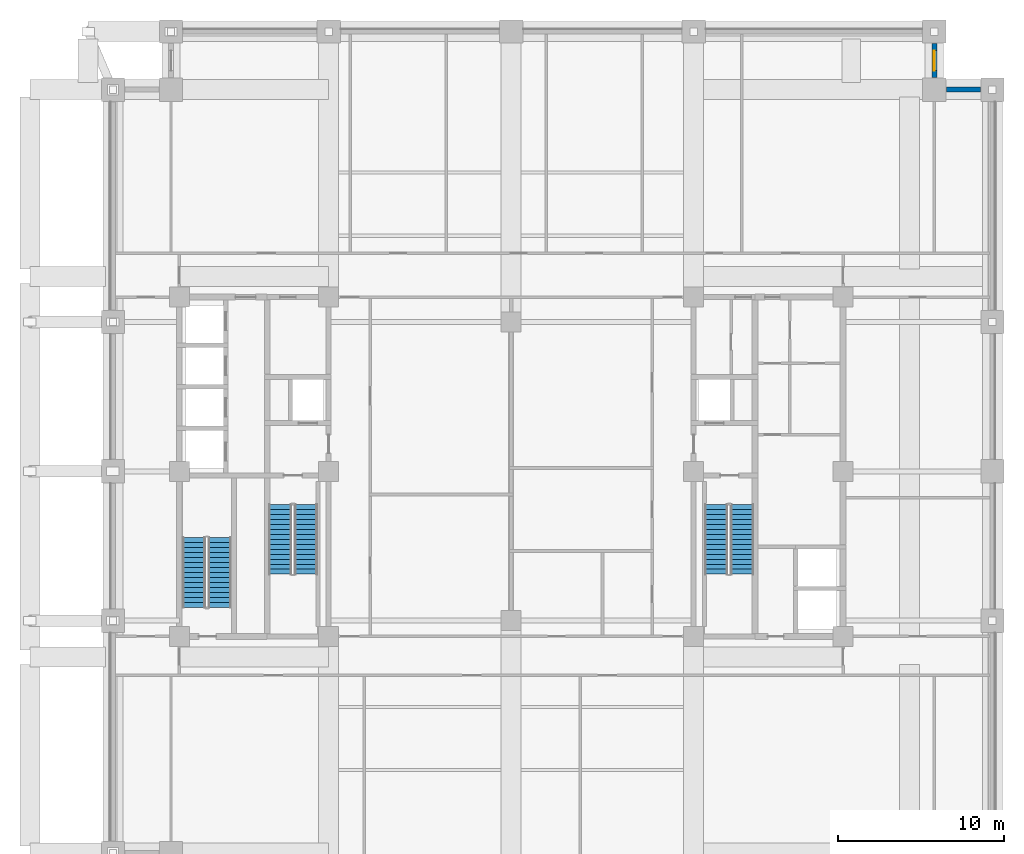
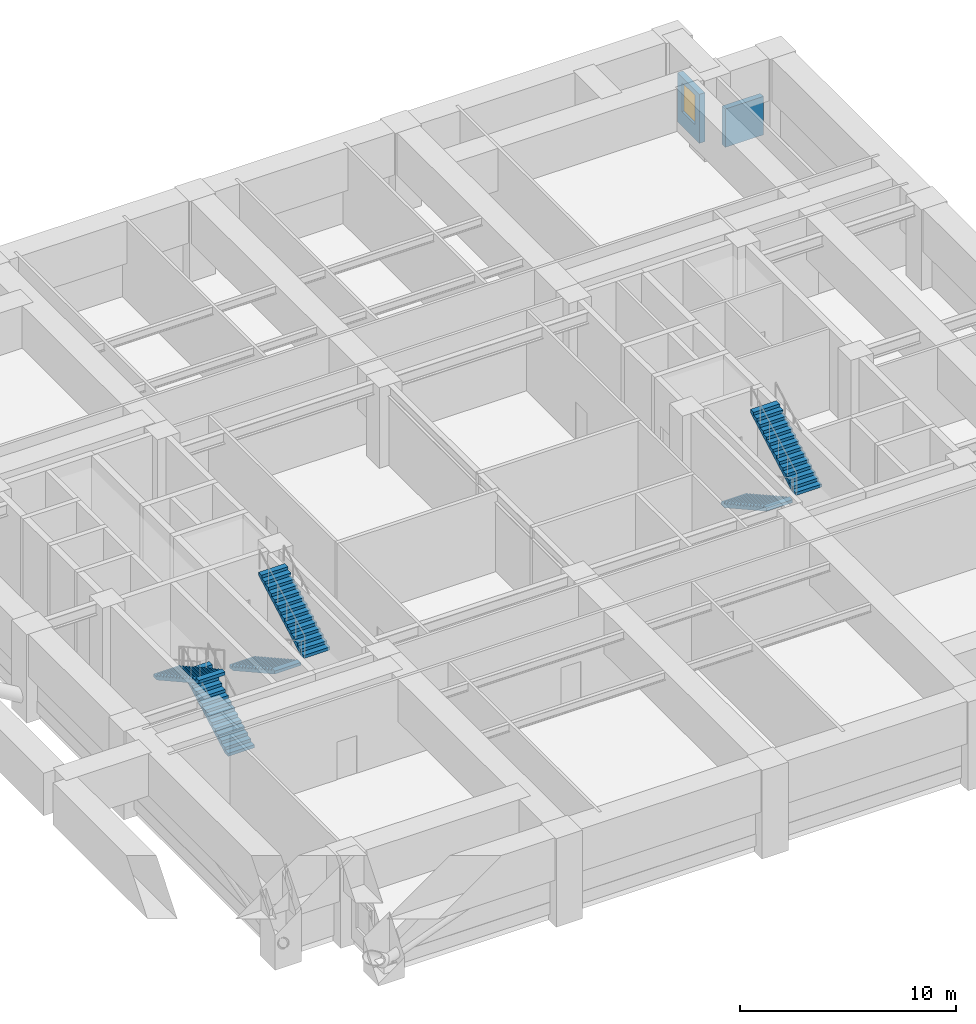
# One storey, part 6 of 11: 6 stair flights, 2 walls, 1 window, 1 opening, 3 elements without a shape of their own.
"""IFC4 building model written with IfcOpenShell, lengths in metres."""

import ifcopenshell
import ifcopenshell.guid

model = None  # the IFC model being written
_history = None  # IfcOwnerHistory: only IFC2X3 demands one
_inside = {}  # id of a spatial element -> (the spatial element, [elements in it])
_under = {}  # id of a project, library or spatial element -> (it, [spatial elements below it])
_declared = {}  # id of a project -> (the project, [libraries it declares])
_typed = {}  # id of a type object -> (the type object, [elements of that type])
_made_of = {}  # id of a material, layer set ... -> (it, [elements and type objects made of it])


def new_model(schema):
    """Start an empty IFC model of exactly this schema.

    Asked for "IFC4X3", IfcOpenShell would pick the latest addendum, in which some entities
    have other attributes; the version numbers below select the first issue.
    IFC2X3 requires an IfcOwnerHistory on every rooted entity: one is made here for all.
    """
    global model, _history
    if schema == "IFC4X3":
        model = ifcopenshell.file(schema_version=(4, 3, 0, 0))
    else:
        model = ifcopenshell.file(schema=schema)
    _inside.clear()
    _under.clear()
    _declared.clear()
    _typed.clear()
    _made_of.clear()
    _history = None
    if model.schema == "IFC2X3":
        org = make("IfcOrganization", Name="unknown")
        user = make(
            "IfcPersonAndOrganization",
            ThePerson=make("IfcPerson", FamilyName="unknown"),
            TheOrganization=org,
        )
        app = make(
            "IfcApplication",
            ApplicationDeveloper=org,
            Version="unknown",
            ApplicationFullName="unknown",
            ApplicationIdentifier="unknown",
        )
        _history = make(
            "IfcOwnerHistory",
            OwningUser=user,
            OwningApplication=app,
            ChangeAction="ADDED",
            CreationDate=0,
        )
    return model


def make(cls, **values):
    """One entity of the class cls with the attributes given. An attribute that is None is left unset."""
    return model.create_entity(
        cls, **{name: value for name, value in values.items() if value is not None}
    )


def rooted(cls, **values):
    """An entity with a GlobalId (a new one), such as an element, a storey or a relation."""
    return make(cls, GlobalId=ifcopenshell.guid.new(), OwnerHistory=_history, **values)


def si_unit(unit_type, name, prefix=None):
    """IfcSIUnit, for example si_unit("LENGTHUNIT", "METRE", prefix="MILLI")."""
    return make("IfcSIUnit", UnitType=unit_type, Prefix=prefix, Name=name)


def assignment(units):
    """IfcUnitAssignment: the units of a project."""
    return None if units is None else make("IfcUnitAssignment", Units=units)


def point(xyz):
    """IfcCartesianPoint."""
    return None if xyz is None else make("IfcCartesianPoint", Coordinates=xyz)


def direction(xyz):
    """IfcDirection."""
    return None if xyz is None else make("IfcDirection", DirectionRatios=xyz)


def frame(location, z_axis=None, x_axis=None):
    """IfcAxis2Placement3D, a coordinate frame: its origin and axes. An axis left out is left unset."""
    return make(
        "IfcAxis2Placement3D",
        Location=point(location),
        Axis=direction(z_axis),
        RefDirection=direction(x_axis),
    )


def frame_2d(location, x_axis=None):
    """IfcAxis2Placement2D, a coordinate frame in the plane: its origin and x axis."""
    return make(
        "IfcAxis2Placement2D", Location=point(location), RefDirection=direction(x_axis)
    )


def origin():
    """The frame at (0, 0, 0) with its axes left unset."""
    return frame((0.0, 0.0, 0.0))


def place(relative_to, where):
    """IfcLocalPlacement: puts the frame where relative to a parent placement (None: the world)."""
    return make(
        "IfcLocalPlacement", PlacementRelTo=relative_to, RelativePlacement=where
    )


def context(
    kind, dimensions, precision=None, world=None, true_north=None, identifier=None
):
    """IfcGeometricRepresentationContext, for example the 3D "Model" context."""
    return make(
        "IfcGeometricRepresentationContext",
        ContextIdentifier=identifier,
        ContextType=kind,
        CoordinateSpaceDimension=dimensions,
        Precision=precision,
        WorldCoordinateSystem=world,
        TrueNorth=true_north,
    )


def subcontext(parent, identifier, kind, view, scale=None):
    """IfcGeometricRepresentationSubContext, for example "Body" below "Model"."""
    return make(
        "IfcGeometricRepresentationSubContext",
        ContextIdentifier=identifier,
        ContextType=kind,
        ParentContext=parent,
        TargetScale=scale,
        TargetView=view,
    )


def project(units=None, contexts=None):
    """IfcProject with its units and contexts."""
    return rooted(
        "IfcProject",
        Name="project",
        RepresentationContexts=contexts,
        UnitsInContext=assignment(units),
    )


def spatial(cls, under=None, at=None, **own):
    """A site, building, storey or space (cls), placed at a placement, below another one or the project."""
    s = rooted(cls, ObjectPlacement=at, **own)
    if under is not None:
        _under.setdefault(under.id(), (under, []))[1].append(s)
    return s


def polyline(points):
    """IfcPolyline through the points."""
    return make("IfcPolyline", Points=[point(p) for p in points])


def profile(cls, at=None, kind="AREA", **sizes):
    """A parametric profile (cls). Its sizes go by their IFC names, for example OverallWidth=200.0."""
    return make(cls, ProfileType=kind, Position=at, **sizes)


def rectangle(**sizes):
    """IfcRectangleProfileDef."""
    return profile("IfcRectangleProfileDef", **sizes)


def outline(outer, holes=None, kind="AREA"):
    """IfcArbitraryClosedProfileDef: a profile drawn as a closed curve; with holes, ...WithVoids."""
    if holes is None:
        return make("IfcArbitraryClosedProfileDef", ProfileType=kind, OuterCurve=outer)
    return make(
        "IfcArbitraryProfileDefWithVoids",
        ProfileType=kind,
        OuterCurve=outer,
        InnerCurves=holes,
    )


def extrude(swept, where, along, depth):
    """IfcExtrudedAreaSolid: the profile swept, set in the frame where, extruded along a direction by depth."""
    return make(
        "IfcExtrudedAreaSolid",
        SweptArea=swept,
        Position=where,
        ExtrudedDirection=direction(along),
        Depth=depth,
    )


def shape(context_of_items, identifier, shape_type, items):
    """IfcShapeRepresentation: the items that make up one representation, for example the "Body"."""
    return make(
        "IfcShapeRepresentation",
        ContextOfItems=context_of_items,
        RepresentationIdentifier=identifier,
        RepresentationType=shape_type,
        Items=items,
    )


def material(Name=None, Category=None):
    """IfcMaterial."""
    return make("IfcMaterial", Name=Name, Category=Category)


def layer(
    of_material, thickness, ventilated=None, Name=None, Category=None, Priority=None
):
    """IfcMaterialLayer: one layer of a wall or slab, of a material (None: an air gap)."""
    return make(
        "IfcMaterialLayer",
        Material=of_material,
        LayerThickness=thickness,
        IsVentilated=ventilated,
        Name=Name,
        Category=Category,
        Priority=Priority,
    )


def layer_set(layers, Name=None):
    """IfcMaterialLayerSet."""
    return make("IfcMaterialLayerSet", MaterialLayers=layers, LayerSetName=Name)


def made_of(thing, what):
    """Note that an element or type object is made of a material, layer set ...; save() writes the relation."""
    if what is not None:
        _made_of.setdefault(what.id(), (what, []))[1].append(thing)
    return thing


def type_object(cls, material=None, **own):
    """A type object (cls), such as IfcWallType, which elements share."""
    return made_of(rooted(cls, **own), material)


def element(
    cls,
    number,
    at=None,
    inside=None,
    cuts=None,
    type_object=None,
    material=None,
    context=None,
    identifier="Body",
    shape_type=None,
    held_by="IfcProductDefinitionShape",
    body=None,
    shapes=None,
    **own,
):
    """One element of the class cls, such as IfcWall. Its Tag is "e" and its number.

    at: its placement. inside: the storey or other place that contains it. cuts: it is an
    opening in that element (IfcRelVoidsElement). A single representation is given by context,
    identifier, shape_type and body (its items); several are given by shapes. held_by: the class
    of the entity that holds the representations. save() writes the other relations.
    """
    e = rooted(cls, Tag="e%d" % number, ObjectPlacement=at, **own)
    if body is not None:
        shapes = [shape(context, identifier, shape_type, body)]
    if shapes is not None:
        e.Representation = make(held_by, Representations=shapes)
    if inside is not None:
        _inside.setdefault(inside.id(), (inside, []))[1].append(e)
    if cuts is not None:
        rooted(
            "IfcRelVoidsElement", RelatingBuildingElement=cuts, RelatedOpeningElement=e
        )
    if type_object is not None:
        _typed.setdefault(type_object.id(), (type_object, []))[1].append(e)
    return made_of(e, material)


def fill(opening, filler):
    """IfcRelFillsElement: the door or window that sits in an opening."""
    return rooted(
        "IfcRelFillsElement",
        RelatingOpeningElement=opening,
        RelatedBuildingElement=filler,
    )


def aggregate(whole, parts):
    """IfcRelAggregates: a whole, such as a stair, and the parts it consists of."""
    return rooted("IfcRelAggregates", RelatingObject=whole, RelatedObjects=parts)


def save(model, path):
    """Write the relations noted so far, then the file.

    IfcRelAggregates (storeys below a building ...), IfcRelContainedInSpatialStructure (elements
    in a storey), IfcRelDefinesByType, IfcRelAssociatesMaterial and IfcRelDeclares: one each for
    every whole, place, type object, material and project.
    """
    for whole, parts in _under.values():
        aggregate(whole, parts)
    for where, things in _inside.values():
        rooted(
            "IfcRelContainedInSpatialStructure",
            RelatedElements=things,
            RelatingStructure=where,
        )
    for kind, things in _typed.values():
        rooted("IfcRelDefinesByType", RelatedObjects=things, RelatingType=kind)
    for what, things in _made_of.values():
        rooted("IfcRelAssociatesMaterial", RelatedObjects=things, RelatingMaterial=what)
    for by, libraries in _declared.values():
        rooted("IfcRelDeclares", RelatingContext=by, RelatedDefinitions=libraries)
    model.write(path)


model = new_model("IFC4")

# Units and contexts
model_context = context("Model", 3, precision=1e-05, world=origin(), true_north=direction((0.0, 1.0)))
body_context = subcontext(model_context, "Body", "Model", "MODEL_VIEW")
ifc_project = project(units=[si_unit("LENGTHUNIT", "METRE"), si_unit("AREAUNIT", "SQUARE_METRE"), si_unit("VOLUMEUNIT", "CUBIC_METRE"), si_unit("PLANEANGLEUNIT", "RADIAN"), si_unit("MASSUNIT", "GRAM", prefix="KILO")], contexts=[model_context])

# Site, building, storey
site_placement = place(None, origin())
site = spatial("IfcSite", under=ifc_project, at=site_placement, CompositionType="ELEMENT")
building_placement = place(site_placement, origin())
building = spatial("IfcBuilding", under=site, at=building_placement, Name="Zulmaris Gate Convention Tower", CompositionType="ELEMENT")
storey_placement = place(building_placement, frame((0.0, 0.0, 52.18994140625)))
storey = spatial("IfcBuildingStorey", under=building, at=storey_placement, Name="L12", CompositionType="ELEMENT", Elevation=52.18994140625)

# Wall
ifc_material_1 = material(Name="Precast concrete C40/50", Category="concrete")
ifc_layer_1 = layer(ifc_material_1, 0.300048828125, Name="Precast concrete C40/50")
ifc_layer_set_1 = layer_set([ifc_layer_1], Name="Precast concrete C40/50")
wall_type = type_object("IfcWallType", Name="PRECAST-PIER-300", PredefinedType="STANDARD", material=ifc_layer_set_1)
wall_1_placement = place(storey_placement, frame((28.27001953125, 23.0, 0.0), z_axis=(0.0, 0.0, 1.0), x_axis=(-1.0, 0.0, 0.0)))
element("IfcWall", 1, at=wall_1_placement, inside=storey, type_object=wall_type, Name="EW-L12-NOTCH-NE1_0", PredefinedType="STANDARD", context=body_context, shape_type="SweptSolid", body=[
    extrude(rectangle(XDim=2.0400390625, YDim=0.300048828125, at=frame_2d((1.02001953125, 0.0))), origin(), (0.0, 0.0, 1.0), 2.1669921875),
])

# Wall, opening, window
wall_2_placement = place(storey_placement, frame((25.5, 23.72998046875, 0.0), z_axis=(0.0, 0.0, 1.0), x_axis=(0.0, 1.0, 0.0)))
wall_2 = element("IfcWall", 2, at=wall_2_placement, inside=storey, type_object=wall_type, Name="EW-L12-NOTCH-NE2_0", PredefinedType="STANDARD", context=body_context, shape_type="SweptSolid", body=[
    extrude(rectangle(XDim=2.0400390625, YDim=0.300048828125, at=frame_2d((1.02001953125, 0.0))), origin(), (0.0, 0.0, 1.0), 2.766845703125),
])
opening_placement = place(wall_2_placement, frame((0.419921875, 0.0, 0.820068359375)))
opening = element("IfcOpeningElement", 3, at=opening_placement, cuts=wall_2, Name="Opening W-04", PredefinedType="OPENING", context=body_context, shape_type="SweptSolid", body=[
    extrude(rectangle(XDim=1.199951171875, YDim=1.64990234375, at=frame_2d((0.60009765625, 0.824951171875))), frame((0.0, 0.16015625, 0.0), z_axis=(0.0, -1.0, 0.0), x_axis=(1.0, 0.0, 0.0)), (0.0, 0.0, 1.0), 0.320068359375),
])
ifc_material_2 = material(Name="Low-E Laminated Double Glazing in Aluminium Frame", Category="aluminium")
window_type = type_object("IfcWindowType", Name="WIN-1200x2100", PartitioningType="SINGLE_PANEL", PredefinedType="WINDOW", material=ifc_material_2)
window_placement = place(opening_placement, origin())
window = element("IfcWindow", 4, at=window_placement, inside=storey, type_object=window_type, Name="WN-EW-L12-NOTCH-NE2_0", OverallHeight=1.64990234375, OverallWidth=1.199951171875, PartitioningType="SINGLE_PANEL", PredefinedType="WINDOW", context=body_context, shape_type="SweptSolid", body=[
    extrude(rectangle(XDim=1.199951171875, YDim=1.64990234375, at=frame_2d((0.60009765625, 0.824951171875))), frame((0.0, 0.030029296875, 0.0), z_axis=(0.0, -1.0, 0.0), x_axis=(1.0, 0.0, 0.0)), (0.0, 0.0, 1.0), 0.06005859375),
])
fill(opening, window)

# Stair, stair flights
ifc_material_3 = material(Name="Concrete C45/55", Category="concrete")
stair_type = type_object("IfcStairType", Name="ST-CORE-DOGLEG", PredefinedType="HALF_TURN_STAIR", material=ifc_material_3)
stair_1_placement = place(storey_placement, origin())
stair_1 = element("IfcStair", 5, at=stair_1_placement, inside=storey, type_object=stair_type, Name="L12 Core Exit Stair ST-1", PredefinedType="HALF_TURN_STAIR")
ifc_layer_2 = layer(ifc_material_3, 0.14990234375, Name="Concrete C45/55")
ifc_layer_set_2 = layer_set([ifc_layer_2], Name="Concrete C45/55")
stair_flight_type = type_object("IfcStairFlightType", Name="STF-RC150", PredefinedType="STRAIGHT", material=ifc_layer_set_2)
stair_flight_1_placement = place(storey_placement, frame((-13.919921875, -2.0, 0.0), z_axis=(0.0, 0.0, 1.0), x_axis=(0.0, -1.0, 0.0)))
stair_flight_1 = element("IfcStairFlight", 6, at=stair_flight_1_placement, type_object=stair_flight_type, Name="ST-1 flight 1", NumberOfRisers=15, NumberOfTreads=14, PredefinedType="STRAIGHT", RiserHeight=0.166666667, TreadLength=0.3, context=body_context, shape_type="SweptSolid", body=[
    extrude(outline(polyline([(0.0, 0.0), (0.0, 0.166748046875), (0.300048828125, 0.166748046875), (0.300048828125, 0.333251953125), (0.60009765625, 0.333251953125), (0.60009765625, 0.5), (0.89990234375, 0.5), (0.89990234375, 0.666748046875), (1.199951171875, 0.666748046875), (1.199951171875, 0.833251953125), (1.5, 0.833251953125), (1.5, 1.0), (1.800048828125, 1.0), (1.800048828125, 1.166748046875), (2.10009765625, 1.166748046875), (2.10009765625, 1.333251953125), (2.39990234375, 1.333251953125), (2.39990234375, 1.5), (2.699951171875, 1.5), (2.699951171875, 1.666748046875), (3.0, 1.666748046875), (3.0, 1.833251953125), (3.300048828125, 1.833251953125), (3.300048828125, 2.0), (3.60009765625, 2.0), (3.60009765625, 2.166748046875), (3.89990234375, 2.166748046875), (3.89990234375, 2.333251953125), (4.199951171875, 2.333251953125), (4.199951171875, 2.5), (4.199951171875, 2.161865234375), (0.30859375, 0.0), (0.0, 0.0)])), frame((0.0, 0.699951171875, 0.0), z_axis=(0.0, -1.0, 0.0), x_axis=(1.0, 0.0, 0.0)), (0.0, 0.0, 1.0), 1.39990234375),
])
stair_flight_2_placement = place(storey_placement, frame((-12.360107421875, -6.199951171875, 2.5), z_axis=(0.0, 0.0, 1.0), x_axis=(0.0, 1.0, 0.0)))
stair_flight_2 = element("IfcStairFlight", 7, at=stair_flight_2_placement, type_object=stair_flight_type, Name="ST-1 flight 2", NumberOfRisers=15, NumberOfTreads=14, PredefinedType="STRAIGHT", RiserHeight=0.166666667, TreadLength=0.3, context=body_context, shape_type="SweptSolid", body=[
    extrude(outline(polyline([(0.0, 0.0), (0.0, 0.166748046875), (0.300048828125, 0.166748046875), (0.300048828125, 0.333251953125), (0.60009765625, 0.333251953125), (0.60009765625, 0.5), (0.89990234375, 0.5), (0.89990234375, 0.666748046875), (1.199951171875, 0.666748046875), (1.199951171875, 0.833251953125), (1.5, 0.833251953125), (1.5, 1.0), (1.800048828125, 1.0), (1.800048828125, 1.166748046875), (2.10009765625, 1.166748046875), (2.10009765625, 1.333251953125), (2.39990234375, 1.333251953125), (2.39990234375, 1.5), (2.699951171875, 1.5), (2.699951171875, 1.666748046875), (3.0, 1.666748046875), (3.0, 1.833251953125), (3.300048828125, 1.833251953125), (3.300048828125, 2.0), (3.60009765625, 2.0), (3.60009765625, 2.166748046875), (3.89990234375, 2.166748046875), (3.89990234375, 2.333251953125), (4.199951171875, 2.333251953125), (4.199951171875, 2.5), (4.199951171875, 2.161865234375), (0.30859375, 0.0), (0.0, 0.0)])), frame((0.0, 0.699951171875, 0.0), z_axis=(0.0, -1.0, 0.0), x_axis=(1.0, 0.0, 0.0)), (0.0, 0.0, 1.0), 1.39990234375),
])
aggregate(stair_1, [stair_flight_1, stair_flight_2])

stair_2_placement = place(storey_placement, origin())
stair_2 = element("IfcStair", 8, at=stair_2_placement, inside=storey, type_object=stair_type, Name="L12 Core Exit Stair ST-2", PredefinedType="HALF_TURN_STAIR")
stair_flight_3_placement = place(storey_placement, frame((12.360107421875, -2.0, 0.0), z_axis=(0.0, 0.0, 1.0), x_axis=(0.0, -1.0, 0.0)))
stair_flight_3 = element("IfcStairFlight", 9, at=stair_flight_3_placement, type_object=stair_flight_type, Name="ST-2 flight 1", NumberOfRisers=15, NumberOfTreads=14, PredefinedType="STRAIGHT", RiserHeight=0.166666667, TreadLength=0.3, context=body_context, shape_type="SweptSolid", body=[
    extrude(outline(polyline([(0.0, 0.0), (0.0, 0.166748046875), (0.300048828125, 0.166748046875), (0.300048828125, 0.333251953125), (0.60009765625, 0.333251953125), (0.60009765625, 0.5), (0.89990234375, 0.5), (0.89990234375, 0.666748046875), (1.199951171875, 0.666748046875), (1.199951171875, 0.833251953125), (1.5, 0.833251953125), (1.5, 1.0), (1.800048828125, 1.0), (1.800048828125, 1.166748046875), (2.10009765625, 1.166748046875), (2.10009765625, 1.333251953125), (2.39990234375, 1.333251953125), (2.39990234375, 1.5), (2.699951171875, 1.5), (2.699951171875, 1.666748046875), (3.0, 1.666748046875), (3.0, 1.833251953125), (3.300048828125, 1.833251953125), (3.300048828125, 2.0), (3.60009765625, 2.0), (3.60009765625, 2.166748046875), (3.89990234375, 2.166748046875), (3.89990234375, 2.333251953125), (4.199951171875, 2.333251953125), (4.199951171875, 2.5), (4.199951171875, 2.161865234375), (0.30859375, 0.0), (0.0, 0.0)])), frame((0.0, 0.699951171875, 0.0), z_axis=(0.0, -1.0, 0.0), x_axis=(1.0, 0.0, 0.0)), (0.0, 0.0, 1.0), 1.39990234375),
])
stair_flight_4_placement = place(storey_placement, frame((13.919921875, -6.199951171875, 2.5), z_axis=(0.0, 0.0, 1.0), x_axis=(0.0, 1.0, 0.0)))
stair_flight_4 = element("IfcStairFlight", 10, at=stair_flight_4_placement, type_object=stair_flight_type, Name="ST-2 flight 2", NumberOfRisers=15, NumberOfTreads=14, PredefinedType="STRAIGHT", RiserHeight=0.166666667, TreadLength=0.3, context=body_context, shape_type="SweptSolid", body=[
    extrude(outline(polyline([(0.0, 0.0), (0.0, 0.166748046875), (0.300048828125, 0.166748046875), (0.300048828125, 0.333251953125), (0.60009765625, 0.333251953125), (0.60009765625, 0.5), (0.89990234375, 0.5), (0.89990234375, 0.666748046875), (1.199951171875, 0.666748046875), (1.199951171875, 0.833251953125), (1.5, 0.833251953125), (1.5, 1.0), (1.800048828125, 1.0), (1.800048828125, 1.166748046875), (2.10009765625, 1.166748046875), (2.10009765625, 1.333251953125), (2.39990234375, 1.333251953125), (2.39990234375, 1.5), (2.699951171875, 1.5), (2.699951171875, 1.666748046875), (3.0, 1.666748046875), (3.0, 1.833251953125), (3.300048828125, 1.833251953125), (3.300048828125, 2.0), (3.60009765625, 2.0), (3.60009765625, 2.166748046875), (3.89990234375, 2.166748046875), (3.89990234375, 2.333251953125), (4.199951171875, 2.333251953125), (4.199951171875, 2.5), (4.199951171875, 2.161865234375), (0.30859375, 0.0), (0.0, 0.0)])), frame((0.0, 0.699951171875, 0.0), z_axis=(0.0, -1.0, 0.0), x_axis=(1.0, 0.0, 0.0)), (0.0, 0.0, 1.0), 1.39990234375),
])
aggregate(stair_2, [stair_flight_3, stair_flight_4])

stair_3_placement = place(storey_placement, origin())
stair_3 = element("IfcStair", 11, at=stair_3_placement, inside=storey, type_object=stair_type, Name="L12 Core Exit Stair ST-3", PredefinedType="HALF_TURN_STAIR")
stair_flight_5_placement = place(storey_placement, frame((-17.56005859375, -8.199951171875, 0.0), z_axis=(0.0, 0.0, 1.0), x_axis=(0.0, 1.0, 0.0)))
stair_flight_5 = element("IfcStairFlight", 12, at=stair_flight_5_placement, type_object=stair_flight_type, Name="ST-3 flight 1", NumberOfRisers=15, NumberOfTreads=14, PredefinedType="STRAIGHT", RiserHeight=0.166666667, TreadLength=0.3, context=body_context, shape_type="SweptSolid", body=[
    extrude(outline(polyline([(0.0, 0.0), (0.0, 0.166748046875), (0.300048828125, 0.166748046875), (0.300048828125, 0.333251953125), (0.60009765625, 0.333251953125), (0.60009765625, 0.5), (0.89990234375, 0.5), (0.89990234375, 0.666748046875), (1.199951171875, 0.666748046875), (1.199951171875, 0.833251953125), (1.5, 0.833251953125), (1.5, 1.0), (1.800048828125, 1.0), (1.800048828125, 1.166748046875), (2.10009765625, 1.166748046875), (2.10009765625, 1.333251953125), (2.39990234375, 1.333251953125), (2.39990234375, 1.5), (2.699951171875, 1.5), (2.699951171875, 1.666748046875), (3.0, 1.666748046875), (3.0, 1.833251953125), (3.300048828125, 1.833251953125), (3.300048828125, 2.0), (3.60009765625, 2.0), (3.60009765625, 2.166748046875), (3.89990234375, 2.166748046875), (3.89990234375, 2.333251953125), (4.199951171875, 2.333251953125), (4.199951171875, 2.5), (4.199951171875, 2.161865234375), (0.30859375, 0.0), (0.0, 0.0)])), frame((0.0, 0.699951171875, 0.0), z_axis=(0.0, -1.0, 0.0), x_axis=(1.0, 0.0, 0.0)), (0.0, 0.0, 1.0), 1.39990234375),
])
stair_flight_6_placement = place(storey_placement, frame((-19.1201171875, -4.0, 2.5), z_axis=(0.0, 0.0, 1.0), x_axis=(0.0, -1.0, 0.0)))
stair_flight_6 = element("IfcStairFlight", 13, at=stair_flight_6_placement, type_object=stair_flight_type, Name="ST-3 flight 2", NumberOfRisers=15, NumberOfTreads=14, PredefinedType="STRAIGHT", RiserHeight=0.166666667, TreadLength=0.3, context=body_context, shape_type="SweptSolid", body=[
    extrude(outline(polyline([(0.0, 0.0), (0.0, 0.166748046875), (0.300048828125, 0.166748046875), (0.300048828125, 0.333251953125), (0.60009765625, 0.333251953125), (0.60009765625, 0.5), (0.89990234375, 0.5), (0.89990234375, 0.666748046875), (1.199951171875, 0.666748046875), (1.199951171875, 0.833251953125), (1.5, 0.833251953125), (1.5, 1.0), (1.800048828125, 1.0), (1.800048828125, 1.166748046875), (2.10009765625, 1.166748046875), (2.10009765625, 1.333251953125), (2.39990234375, 1.333251953125), (2.39990234375, 1.5), (2.699951171875, 1.5), (2.699951171875, 1.666748046875), (3.0, 1.666748046875), (3.0, 1.833251953125), (3.300048828125, 1.833251953125), (3.300048828125, 2.0), (3.60009765625, 2.0), (3.60009765625, 2.166748046875), (3.89990234375, 2.166748046875), (3.89990234375, 2.333251953125), (4.199951171875, 2.333251953125), (4.199951171875, 2.5), (4.199951171875, 2.161865234375), (0.30859375, 0.0), (0.0, 0.0)])), frame((0.0, 0.699951171875, 0.0), z_axis=(0.0, -1.0, 0.0), x_axis=(1.0, 0.0, 0.0)), (0.0, 0.0, 1.0), 1.39990234375),
])
aggregate(stair_3, [stair_flight_5, stair_flight_6])

save(model, "model.ifc")
